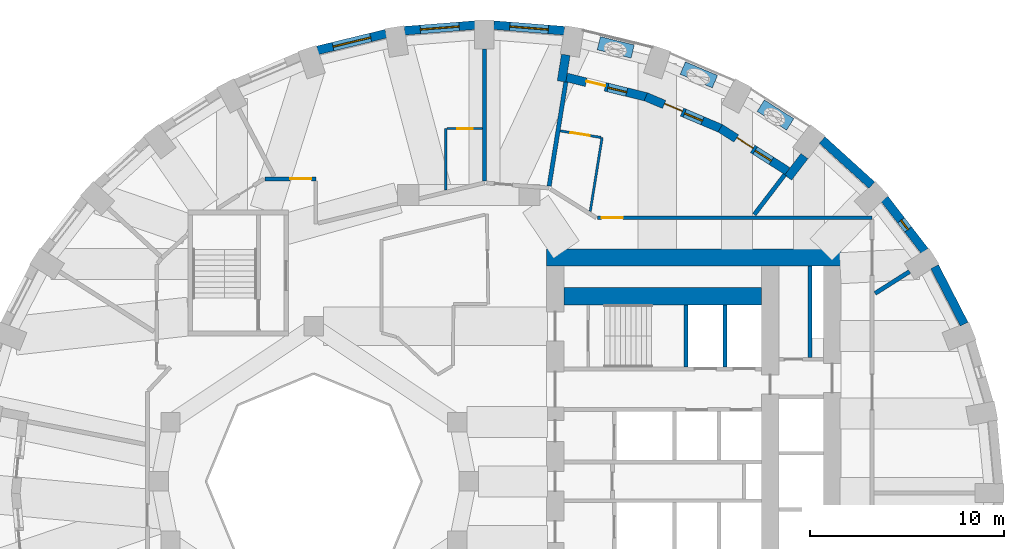
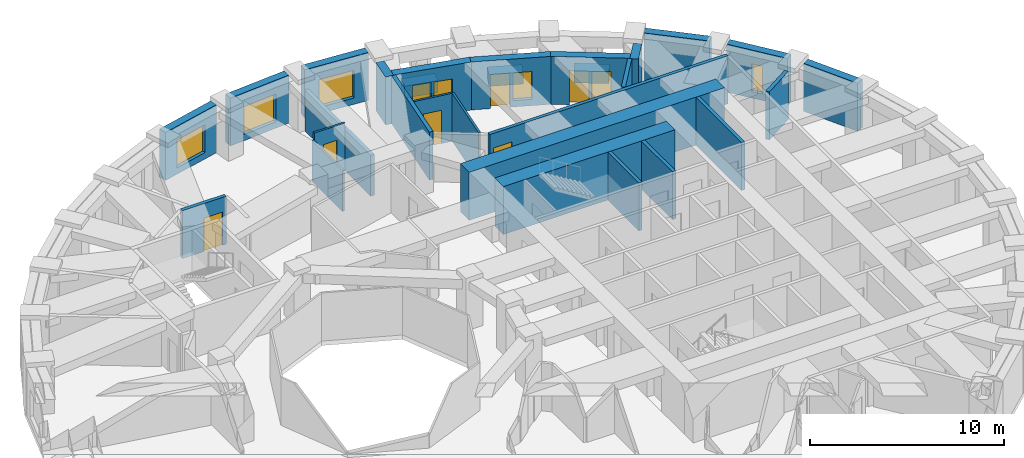
# One storey, part 8 of 12: 29 walls, 7 doors, 7 windows, 14 openings.
"""IFC4 building model written with IfcOpenShell, lengths in metres."""

from ifc_helpers import new_model, si_unit, direction, frame, frame_2d, origin, place, context, subcontext, project, spatial, rectangle, extrude, material, layer, layer_set, constituent, constituent_set, type_object, element, fill, save


model = new_model("IFC4")

# Units and contexts
model_context = context("Model", 3, precision=1e-05, world=origin(), true_north=direction((0.0, 1.0)))
body_context = subcontext(model_context, "Body", "Model", "MODEL_VIEW")
ifc_project = project(units=[si_unit("LENGTHUNIT", "METRE"), si_unit("AREAUNIT", "SQUARE_METRE"), si_unit("VOLUMEUNIT", "CUBIC_METRE"), si_unit("PLANEANGLEUNIT", "RADIAN"), si_unit("MASSUNIT", "GRAM", prefix="KILO")], contexts=[model_context])

# Site, building, storey
site_placement = place(None, origin())
site = spatial("IfcSite", under=ifc_project, at=site_placement, CompositionType="ELEMENT")
building_placement = place(site_placement, origin())
building = spatial("IfcBuilding", under=site, at=building_placement, Name="Taillehof Tower", CompositionType="ELEMENT")
storey_placement = place(building_placement, frame((0.0, 0.0, 98.800048828125)))
storey = spatial("IfcBuildingStorey", under=building, at=storey_placement, Name="L27", CompositionType="ELEMENT", Elevation=98.800048828125)

# Wall
ifc_material_1 = material(Name="Brick masonry", Category="masonry")
ifc_layer_1 = layer(ifc_material_1, 0.449951171875)
ifc_layer_set_1 = layer_set([ifc_layer_1], Name="Brick infill wall 450")
wall_type_1 = type_object("IfcWallType", Name="Brick infill wall 450", PredefinedType="SOLIDWALL", material=ifc_layer_set_1)
wall_1_placement = place(storey_placement, frame((25.545166015625, 8.1123046875, 0.0), z_axis=(0.0, 0.0, 1.0), x_axis=(-0.456828186229, 0.889554949549, 0.0)))
element("IfcWall", 1, at=wall_1_placement, inside=storey, type_object=wall_type_1, Name="Brick wall L27 bay 3", PredefinedType="SOLIDWALL", context=body_context, shape_type="SweptSolid", body=[
    extrude(rectangle(XDim=3.332763671875, YDim=0.449951171875, at=frame_2d((1.66650390625, 0.0))), origin(), (0.0, 0.0, 1.0), 3.02001953125),
])

# Wall, opening, window
wall_2_placement = place(storey_placement, frame((23.508056640625, 11.887451171875, 0.0), z_axis=(0.0, 0.0, 1.0), x_axis=(-0.610693945156, 0.791866721961, 0.0)))
wall_2 = element("IfcWall", 2, at=wall_2_placement, inside=storey, type_object=wall_type_1, Name="Brick wall L27 bay 4", PredefinedType="SOLIDWALL", context=body_context, shape_type="SweptSolid", body=[
    extrude(rectangle(XDim=3.39453125, YDim=0.449951171875, at=frame_2d((1.697265625, 0.0))), origin(), (0.0, 0.0, 1.0), 3.02001953125),
])
opening_1_placement = place(wall_2_placement, frame((1.397216796875, 0.0, 0.39990234375)))
opening_1 = element("IfcOpeningElement", 3, at=opening_1_placement, cuts=wall_2, Name="Opening W6", PredefinedType="OPENING", context=body_context, shape_type="SweptSolid", body=[
    extrude(rectangle(XDim=0.60009765625, YDim=1.75, at=frame_2d((0.300048828125, 0.875))), frame((0.0, 0.23486328125, 0.0), z_axis=(0.0, -1.0, 0.0), x_axis=(1.0, 0.0, 0.0)), (0.0, 0.0, 1.0), 0.469970703125),
])
ifc_material_2 = material(Name="Aluminium window frame with clear double glazing", Category="aluminium")
window_type_1 = type_object("IfcWindowType", Name="Slot window 600x1750", PartitioningType="SINGLE_PANEL", PredefinedType="WINDOW", material=ifc_material_2)
window_1_placement = place(opening_1_placement, origin())
window_1 = element("IfcWindow", 4, at=window_1_placement, inside=storey, type_object=window_type_1, Name="W6", OverallHeight=1.75, OverallWidth=0.60009765625, PartitioningType="SINGLE_PANEL", PredefinedType="WINDOW", context=body_context, shape_type="SweptSolid", body=[
    extrude(rectangle(XDim=0.60009765625, YDim=1.75, at=frame_2d((0.300048828125, 0.875))), frame((0.0, 0.034912109375, 0.0), z_axis=(0.0, -1.0, 0.0), x_axis=(1.0, 0.0, 0.0)), (0.0, 0.0, 1.0), 0.06005859375),
])
fill(opening_1, window_1)

# Wall
wall_3_placement = place(storey_placement, frame((20.783935546875, 15.281005859375, 0.0), z_axis=(0.0, 0.0, 1.0), x_axis=(-0.74032902847, 0.672244694739, 0.0)))
element("IfcWall", 5, at=wall_3_placement, inside=storey, type_object=wall_type_1, Name="Brick wall L27 bay 5", PredefinedType="SOLIDWALL", context=body_context, shape_type="SweptSolid", body=[
    extrude(rectangle(XDim=3.4638671875, YDim=0.449951171875, at=frame_2d((1.73193359375, 0.0))), origin(), (0.0, 0.0, 1.0), 3.02001953125),
])

# Wall, opening, window
wall_4_placement = place(storey_placement, frame((4.926513671875, 23.24658203125, 0.0), z_axis=(0.0, 0.0, 1.0), x_axis=(-0.996862216754, 0.079156306178, 0.0)))
wall_4 = element("IfcWall", 6, at=wall_4_placement, inside=storey, type_object=wall_type_1, Name="Brick wall L27 bay 9", PredefinedType="SOLIDWALL", context=body_context, shape_type="SweptSolid", body=[
    extrude(rectangle(XDim=3.657958984375, YDim=0.449951171875, at=frame_2d((1.8291015625, 0.0))), origin(), (0.0, 0.0, 1.0), 3.02001953125),
])
opening_2_placement = place(wall_4_placement, frame((0.8291015625, 0.0, 0.39990234375)))
opening_2 = element("IfcOpeningElement", 7, at=opening_2_placement, cuts=wall_4, Name="Opening W2", PredefinedType="OPENING", context=body_context, shape_type="SweptSolid", body=[
    extrude(rectangle(XDim=2.0, YDim=1.75, at=frame_2d((1.0, 0.875))), frame((0.0, 0.23486328125, 0.0), z_axis=(0.0, -1.0, 0.0), x_axis=(1.0, 0.0, 0.0)), (0.0, 0.0, 1.0), 0.469970703125),
])
ifc_material_3 = material(Name="Aluminium window frame with clear double glazing", Category="aluminium")
window_type_2 = type_object("IfcWindowType", Name="Deep-set window 2000x1750", PartitioningType="SINGLE_PANEL", PredefinedType="WINDOW", material=ifc_material_3)
window_2_placement = place(opening_2_placement, origin())
window_2 = element("IfcWindow", 8, at=window_2_placement, inside=storey, type_object=window_type_2, Name="W2", OverallHeight=1.75, OverallWidth=2.0, PartitioningType="SINGLE_PANEL", PredefinedType="WINDOW", context=body_context, shape_type="SweptSolid", body=[
    extrude(rectangle(XDim=2.0, YDim=1.75, at=frame_2d((1.0, 0.875))), frame((0.0, 0.034912109375, 0.0), z_axis=(0.0, -1.0, 0.0), x_axis=(1.0, 0.0, 0.0)), (0.0, 0.0, 1.0), 0.06005859375),
])
fill(opening_2, window_2)

wall_5_placement = place(storey_placement, frame((0.31982421875, 23.5361328125, 0.0), z_axis=(0.0, 0.0, 1.0), x_axis=(-0.996862216754, -0.079156306178, 0.0)))
wall_5 = element("IfcWall", 9, at=wall_5_placement, inside=storey, type_object=wall_type_1, Name="Brick wall L27 bay 10", PredefinedType="SOLIDWALL", context=body_context, shape_type="SweptSolid", body=[
    extrude(rectangle(XDim=3.657958984375, YDim=0.449951171875, at=frame_2d((1.8291015625, 0.0))), origin(), (0.0, 0.0, 1.0), 3.02001953125),
])
opening_3_placement = place(wall_5_placement, frame((0.8291015625, 0.0, 0.39990234375)))
opening_3 = element("IfcOpeningElement", 10, at=opening_3_placement, cuts=wall_5, Name="Opening W2", PredefinedType="OPENING", context=body_context, shape_type="SweptSolid", body=[
    extrude(rectangle(XDim=2.0, YDim=1.75, at=frame_2d((1.0, 0.875))), frame((0.0, 0.23486328125, 0.0), z_axis=(0.0, -1.0, 0.0), x_axis=(1.0, 0.0, 0.0)), (0.0, 0.0, 1.0), 0.469970703125),
])
window_3_placement = place(opening_3_placement, origin())
window_3 = element("IfcWindow", 11, at=window_3_placement, inside=storey, type_object=window_type_2, Name="W2", OverallHeight=1.75, OverallWidth=2.0, PartitioningType="SINGLE_PANEL", PredefinedType="WINDOW", context=body_context, shape_type="SweptSolid", body=[
    extrude(rectangle(XDim=2.0, YDim=1.75, at=frame_2d((1.0, 0.875))), frame((0.0, 0.034912109375, 0.0), z_axis=(0.0, -1.0, 0.0), x_axis=(1.0, 0.0, 0.0)), (0.0, 0.0, 1.0), 0.06005859375),
])
fill(opening_3, window_3)

wall_6_placement = place(storey_placement, frame((-4.274658203125, 23.094482421875, 0.0), z_axis=(0.0, 0.0, 1.0), x_axis=(-0.971667603162, -0.236351579148, 0.0)))
wall_6 = element("IfcWall", 12, at=wall_6_placement, inside=storey, type_object=wall_type_1, Name="Brick wall L27 bay 11", PredefinedType="SOLIDWALL", context=body_context, shape_type="SweptSolid", body=[
    extrude(rectangle(XDim=3.635009765625, YDim=0.449951171875, at=frame_2d((1.8173828125, 0.0))), origin(), (0.0, 0.0, 1.0), 3.02001953125),
])
opening_4_placement = place(wall_6_placement, frame((0.8173828125, 0.0, 0.39990234375)))
opening_4 = element("IfcOpeningElement", 13, at=opening_4_placement, cuts=wall_6, Name="Opening W2", PredefinedType="OPENING", context=body_context, shape_type="SweptSolid", body=[
    extrude(rectangle(XDim=2.0, YDim=1.75, at=frame_2d((1.0, 0.875))), frame((0.0, 0.23486328125, 0.0), z_axis=(0.0, -1.0, 0.0), x_axis=(1.0, 0.0, 0.0)), (0.0, 0.0, 1.0), 0.469970703125),
])
window_4_placement = place(opening_4_placement, origin())
window_4 = element("IfcWindow", 14, at=window_4_placement, inside=storey, type_object=window_type_2, Name="W2", OverallHeight=1.75, OverallWidth=2.0, PartitioningType="SINGLE_PANEL", PredefinedType="WINDOW", context=body_context, shape_type="SweptSolid", body=[
    extrude(rectangle(XDim=2.0, YDim=1.75, at=frame_2d((1.0, 0.875))), frame((0.0, 0.034912109375, 0.0), z_axis=(0.0, -1.0, 0.0), x_axis=(1.0, 0.0, 0.0)), (0.0, 0.0, 1.0), 0.06005859375),
])
fill(opening_4, window_4)

# Walls
wall_7_placement = place(storey_placement, frame((17.3076171875, 16.779541015625, 0.0), z_axis=(0.0, 0.0, 1.0), x_axis=(-0.607137336608, -0.794596913219, 0.0)))
element("IfcWall", 15, at=wall_7_placement, inside=storey, type_object=wall_type_1, Name="Brick reveal L27 pocket 1", PredefinedType="SOLIDWALL", context=body_context, shape_type="SweptSolid", body=[
    extrude(rectangle(XDim=1.390869140625, YDim=0.449951171875, at=frame_2d((0.6953125, 0.0))), origin(), (0.0, 0.0, 1.0), 3.02001953125),
])
wall_8_placement = place(storey_placement, frame((4.9970703125, 22.003662109375, 0.0), z_axis=(0.0, 0.0, 1.0), x_axis=(-0.158613884007, -0.98734068882, 0.0)))
element("IfcWall", 16, at=wall_8_placement, inside=storey, type_object=wall_type_1, Name="Brick reveal L27 pocket 1", PredefinedType="SOLIDWALL", context=body_context, shape_type="SweptSolid", body=[
    extrude(rectangle(XDim=1.389892578125, YDim=0.449951171875, at=frame_2d((0.69482421875, 0.0))), origin(), (0.0, 0.0, 1.0), 3.02001953125),
])

# Wall, openings, door, window
wall_9_placement = place(storey_placement, frame((16.4326171875, 16.0048828125, 0.0), z_axis=(0.0, 0.0, 1.0), x_axis=(-0.843265516514, 0.537497226651, 0.0)))
wall_9 = element("IfcWall", 17, at=wall_9_placement, inside=storey, type_object=wall_type_1, Name="Brick wall L27 pocket bay 6", PredefinedType="SOLIDWALL", context=body_context, shape_type="SweptSolid", body=[
    extrude(rectangle(XDim=4.115234375, YDim=0.449951171875, at=frame_2d((2.0576171875, 0.0))), origin(), (0.0, 0.0, 1.0), 3.02001953125),
])
opening_5_placement = place(wall_9_placement, frame((0.982666015625, 0.0, 0.39990234375)))
opening_5 = element("IfcOpeningElement", 18, at=opening_5_placement, cuts=wall_9, Name="Opening W5", PredefinedType="OPENING", context=body_context, shape_type="SweptSolid", body=[
    extrude(rectangle(XDim=1.0, YDim=1.75, at=frame_2d((0.5, 0.875))), frame((0.0, 0.23486328125, 0.0), z_axis=(0.0, -1.0, 0.0), x_axis=(1.0, 0.0, 0.0)), (0.0, 0.0, 1.0), 0.469970703125),
])
opening_6_placement = place(wall_9_placement, frame((2.132568359375, 0.0, 0.0)))
opening_6 = element("IfcOpeningElement", 19, at=opening_6_placement, cuts=wall_9, Name="Opening D2791", PredefinedType="OPENING", context=body_context, shape_type="SweptSolid", body=[
    extrude(rectangle(XDim=1.0, YDim=2.14990234375, at=frame_2d((0.5, 1.074951171875))), frame((0.0, 0.23486328125, 0.0), z_axis=(0.0, -1.0, 0.0), x_axis=(1.0, 0.0, 0.0)), (0.0, 0.0, 1.0), 0.469970703125),
])
ifc_material_4 = material(Name="Aluminium door frame with clear double glazing", Category="aluminium")
door_type_1 = type_object("IfcDoorType", Name="Balcony door 1000x2150", OperationType="SINGLE_SWING_RIGHT", PredefinedType="DOOR", material=ifc_material_4)
door_1_placement = place(opening_6_placement, frame((1.0, 0.0, 0.0), z_axis=(0.0, 0.0, 1.0), x_axis=(-1.0, 0.0, 0.0)))
door_1 = element("IfcDoor", 20, at=door_1_placement, inside=storey, type_object=door_type_1, Name="Balcony door L27 bay 6", OperationType="SINGLE_SWING_RIGHT", OverallHeight=2.14990234375, OverallWidth=1.0, PredefinedType="DOOR", context=body_context, shape_type="SweptSolid", body=[
    extrude(rectangle(XDim=1.0, YDim=2.14990234375, at=frame_2d((0.5, 1.074951171875))), frame((0.0, 0.0751953125, 0.0), z_axis=(0.0, -1.0, 0.0), x_axis=(1.0, 0.0, 0.0)), (0.0, 0.0, 1.0), 0.050048828125),
])
fill(opening_6, door_1)
ifc_material_5 = material(Name="Aluminium window frame with clear double glazing", Category="aluminium")
window_type_3 = type_object("IfcWindowType", Name="Fixed window 1000x1750", PartitioningType="SINGLE_PANEL", PredefinedType="WINDOW", material=ifc_material_5)
window_5_placement = place(opening_5_placement, origin())
window_5 = element("IfcWindow", 21, at=window_5_placement, inside=storey, type_object=window_type_3, Name="W5", OverallHeight=1.75, OverallWidth=1.0, PartitioningType="SINGLE_PANEL", PredefinedType="WINDOW", context=body_context, shape_type="SweptSolid", body=[
    extrude(rectangle(XDim=1.0, YDim=1.75, at=frame_2d((0.5, 0.875))), frame((0.0, 0.034912109375, 0.0), z_axis=(0.0, -1.0, 0.0), x_axis=(1.0, 0.0, 0.0)), (0.0, 0.0, 1.0), 0.06005859375),
])
fill(opening_5, window_5)

wall_10_placement = place(storey_placement, frame((12.995361328125, 18.199462890625, 0.0), z_axis=(0.0, 0.0, 1.0), x_axis=(-0.920487538818, 0.3907719167, 0.0)))
wall_10 = element("IfcWall", 22, at=wall_10_placement, inside=storey, type_object=wall_type_1, Name="Brick wall L27 pocket bay 7", PredefinedType="SOLIDWALL", context=body_context, shape_type="SweptSolid", body=[
    extrude(rectangle(XDim=4.20654296875, YDim=0.449951171875, at=frame_2d((2.103271484375, 0.0))), origin(), (0.0, 0.0, 1.0), 3.02001953125),
])
opening_7_placement = place(wall_10_placement, frame((1.0283203125, 0.0, 0.39990234375)))
opening_7 = element("IfcOpeningElement", 23, at=opening_7_placement, cuts=wall_10, Name="Opening W5", PredefinedType="OPENING", context=body_context, shape_type="SweptSolid", body=[
    extrude(rectangle(XDim=1.0, YDim=1.75, at=frame_2d((0.5, 0.875))), frame((0.0, 0.23486328125, 0.0), z_axis=(0.0, -1.0, 0.0), x_axis=(1.0, 0.0, 0.0)), (0.0, 0.0, 1.0), 0.469970703125),
])
opening_8_placement = place(wall_10_placement, frame((2.17822265625, 0.0, 0.0)))
opening_8 = element("IfcOpeningElement", 24, at=opening_8_placement, cuts=wall_10, Name="Opening D2792", PredefinedType="OPENING", context=body_context, shape_type="SweptSolid", body=[
    extrude(rectangle(XDim=1.0, YDim=2.14990234375, at=frame_2d((0.5, 1.074951171875))), frame((0.0, 0.23486328125, 0.0), z_axis=(0.0, -1.0, 0.0), x_axis=(1.0, 0.0, 0.0)), (0.0, 0.0, 1.0), 0.469970703125),
])
door_2_placement = place(opening_8_placement, frame((1.0, 0.0, 0.0), z_axis=(0.0, 0.0, 1.0), x_axis=(-1.0, 0.0, 0.0)))
door_2 = element("IfcDoor", 25, at=door_2_placement, inside=storey, type_object=door_type_1, Name="Balcony door L27 bay 7", OperationType="SINGLE_SWING_LEFT", OverallHeight=2.14990234375, OverallWidth=1.0, PredefinedType="DOOR", context=body_context, shape_type="SweptSolid", body=[
    extrude(rectangle(XDim=1.0, YDim=2.14990234375, at=frame_2d((0.5, 1.074951171875))), frame((0.0, 0.0751953125, 0.0), z_axis=(0.0, -1.0, 0.0), x_axis=(1.0, 0.0, 0.0)), (0.0, 0.0, 1.0), 0.050048828125),
])
fill(opening_8, door_2)
window_6_placement = place(opening_7_placement, origin())
window_6 = element("IfcWindow", 26, at=window_6_placement, inside=storey, type_object=window_type_3, Name="W5", OverallHeight=1.75, OverallWidth=1.0, PartitioningType="SINGLE_PANEL", PredefinedType="WINDOW", context=body_context, shape_type="SweptSolid", body=[
    extrude(rectangle(XDim=1.0, YDim=1.75, at=frame_2d((0.5, 0.875))), frame((0.0, 0.034912109375, 0.0), z_axis=(0.0, -1.0, 0.0), x_axis=(1.0, 0.0, 0.0)), (0.0, 0.0, 1.0), 0.06005859375),
])
fill(opening_7, window_6)

wall_11_placement = place(storey_placement, frame((9.157958984375, 19.831787109375, 0.0), z_axis=(0.0, 0.0, 1.0), x_axis=(-0.97152486365, 0.236937627468, 0.0)))
wall_11 = element("IfcWall", 27, at=wall_11_placement, inside=storey, type_object=wall_type_1, Name="Brick wall L27 pocket bay 8", PredefinedType="SOLIDWALL", context=body_context, shape_type="SweptSolid", body=[
    extrude(rectangle(XDim=4.2412109375, YDim=0.449951171875, at=frame_2d((2.12060546875, 0.0))), origin(), (0.0, 0.0, 1.0), 3.02001953125),
])
opening_9_placement = place(wall_11_placement, frame((1.045654296875, 0.0, 0.39990234375)))
opening_9 = element("IfcOpeningElement", 28, at=opening_9_placement, cuts=wall_11, Name="Opening W5", PredefinedType="OPENING", context=body_context, shape_type="SweptSolid", body=[
    extrude(rectangle(XDim=1.0, YDim=1.75, at=frame_2d((0.5, 0.875))), frame((0.0, 0.23486328125, 0.0), z_axis=(0.0, -1.0, 0.0), x_axis=(1.0, 0.0, 0.0)), (0.0, 0.0, 1.0), 0.469970703125),
])
opening_10_placement = place(wall_11_placement, frame((2.195556640625, 0.0, 0.0)))
opening_10 = element("IfcOpeningElement", 29, at=opening_10_placement, cuts=wall_11, Name="Opening D2793", PredefinedType="OPENING", context=body_context, shape_type="SweptSolid", body=[
    extrude(rectangle(XDim=1.0, YDim=2.14990234375, at=frame_2d((0.5, 1.074951171875))), frame((0.0, 0.23486328125, 0.0), z_axis=(0.0, -1.0, 0.0), x_axis=(1.0, 0.0, 0.0)), (0.0, 0.0, 1.0), 0.469970703125),
])
door_3_placement = place(opening_10_placement, frame((1.0, 0.0, 0.0), z_axis=(0.0, 0.0, 1.0), x_axis=(-1.0, 0.0, 0.0)))
door_3 = element("IfcDoor", 30, at=door_3_placement, inside=storey, type_object=door_type_1, Name="Balcony door L27 bay 8", OperationType="SINGLE_SWING_LEFT", OverallHeight=2.14990234375, OverallWidth=1.0, PredefinedType="DOOR", context=body_context, shape_type="SweptSolid", body=[
    extrude(rectangle(XDim=1.0, YDim=2.14990234375, at=frame_2d((0.5, 1.074951171875))), frame((0.0, 0.0751953125, 0.0), z_axis=(0.0, -1.0, 0.0), x_axis=(1.0, 0.0, 0.0)), (0.0, 0.0, 1.0), 0.050048828125),
])
fill(opening_10, door_3)
window_7_placement = place(opening_9_placement, origin())
window_7 = element("IfcWindow", 31, at=window_7_placement, inside=storey, type_object=window_type_3, Name="W5", OverallHeight=1.75, OverallWidth=1.0, PartitioningType="SINGLE_PANEL", PredefinedType="WINDOW", context=body_context, shape_type="SweptSolid", body=[
    extrude(rectangle(XDim=1.0, YDim=1.75, at=frame_2d((0.5, 0.875))), frame((0.0, 0.034912109375, 0.0), z_axis=(0.0, -1.0, 0.0), x_axis=(1.0, 0.0, 0.0)), (0.0, 0.0, 1.0), 0.06005859375),
])
fill(opening_9, window_7)

# Wall
ifc_material_6 = material(Name="Calcium silicate masonry", Category="masonry")
ifc_layer_2 = layer(ifc_material_6, 0.199951171875)
ifc_layer_set_2 = layer_set([ifc_layer_2], Name="Compartment wall calcium silicate 200")
wall_type_2 = type_object("IfcWallType", Name="Compartment wall calcium silicate 200", PredefinedType="PARTITIONING", material=ifc_layer_set_2)
wall_12_placement = place(storey_placement, frame((17.60009765625, 6.39990234375, 0.0), z_axis=(0.0, 0.0, 1.0), x_axis=(0.0, 1.0, 0.0)))
element("IfcWall", 32, at=wall_12_placement, inside=storey, type_object=wall_type_2, Name="Compartment wall FW", PredefinedType="PARTITIONING", context=body_context, shape_type="SweptSolid", body=[
    extrude(rectangle(XDim=4.7001953125, YDim=0.199951171875, at=frame_2d((2.35009765625, 0.0))), origin(), (0.0, 0.0, 1.0), 3.02001953125),
])

# Wall, opening, door
ifc_material_7 = material(Name="Gypsum board on steel studs, two layers each side", Category="steel")
ifc_layer_3 = layer(ifc_material_7, 0.199951171875)
ifc_layer_set_3 = layer_set([ifc_layer_3], Name="Compartment wall corridor 200")
wall_type_3 = type_object("IfcWallType", Name="Compartment wall corridor 200", PredefinedType="PARTITIONING", material=ifc_layer_set_3)
wall_13_placement = place(storey_placement, frame((-10.508544921875, 15.60009765625, 0.0), z_axis=(0.0, 0.0, 1.0), x_axis=(1.0, 0.0, 0.0)))
wall_13 = element("IfcWall", 33, at=wall_13_placement, inside=storey, type_object=wall_type_3, Name="Compartment wall", PredefinedType="PARTITIONING", context=body_context, shape_type="SweptSolid", body=[
    extrude(rectangle(XDim=2.608642578125, YDim=0.199951171875, at=frame_2d((1.30419921875, 0.0))), origin(), (0.0, 0.0, 1.0), 3.02001953125),
])
opening_11_placement = place(wall_13_placement, frame((1.28857421875, 0.0, 0.0)))
opening_11 = element("IfcOpeningElement", 34, at=opening_11_placement, cuts=wall_13, Name="Opening D2743", PredefinedType="OPENING", context=body_context, shape_type="SweptSolid", body=[
    extrude(rectangle(XDim=1.10009765625, YDim=2.10009765625, at=frame_2d((0.550048828125, 1.050048828125))), frame((0.0, 0.10986328125, 0.0), z_axis=(0.0, -1.0, 0.0), x_axis=(1.0, 0.0, 0.0)), (0.0, 0.0, 1.0), 0.219970703125),
])
ifc_material_8 = material(Name="Timber door leaf in steel frame", Category="steel")
door_type_2 = type_object("IfcDoorType", Name="Suite entrance door EI 30 1100 x 2100", OperationType="SINGLE_SWING_LEFT", PredefinedType="DOOR", material=ifc_material_8)
door_4_placement = place(opening_11_placement, origin())
door_4 = element("IfcDoor", 35, at=door_4_placement, inside=storey, type_object=door_type_2, Name="D2743", OperationType="SINGLE_SWING_LEFT", OverallHeight=2.10009765625, OverallWidth=1.10009765625, PredefinedType="DOOR", context=body_context, shape_type="SweptSolid", body=[
    extrude(rectangle(XDim=1.10009765625, YDim=2.10009765625, at=frame_2d((0.550048828125, 1.050048828125))), frame((0.0, 0.02490234375, 0.0), z_axis=(0.0, -1.0, 0.0), x_axis=(1.0, 0.0, 0.0)), (0.0, 0.0, 1.0), 0.050048828125),
])
fill(opening_11, door_4)

wall_14_placement = place(storey_placement, frame((6.62744140625, 13.60009765625, 0.0), z_axis=(0.0, 0.0, 1.0), x_axis=(1.0, 0.0, 0.0)))
wall_14 = element("IfcWall", 36, at=wall_14_placement, inside=storey, type_object=wall_type_3, Name="Compartment wall", PredefinedType="PARTITIONING", context=body_context, shape_type="SweptSolid", body=[
    extrude(rectangle(XDim=14.172607421875, YDim=0.199951171875, at=frame_2d((7.08642578125, 0.0))), origin(), (0.0, 0.0, 1.0), 3.02001953125),
])
opening_12_placement = place(wall_14_placement, frame((0.219970703125, 0.0, 0.0)))
opening_12 = element("IfcOpeningElement", 37, at=opening_12_placement, cuts=wall_14, Name="Opening D2740", PredefinedType="OPENING", context=body_context, shape_type="SweptSolid", body=[
    extrude(rectangle(XDim=1.10009765625, YDim=2.10009765625, at=frame_2d((0.550048828125, 1.050048828125))), frame((0.0, 0.10986328125, 0.0), z_axis=(0.0, -1.0, 0.0), x_axis=(1.0, 0.0, 0.0)), (0.0, 0.0, 1.0), 0.219970703125),
])
ifc_material_9 = material(Name="Timber door leaf in steel frame", Category="steel")
door_type_3 = type_object("IfcDoorType", Name="Accessible guest room door EI 30 1100 x 2100", OperationType="SINGLE_SWING_LEFT", PredefinedType="DOOR", material=ifc_material_9)
door_5_placement = place(opening_12_placement, origin())
door_5 = element("IfcDoor", 38, at=door_5_placement, inside=storey, type_object=door_type_3, Name="D2740", OperationType="SINGLE_SWING_LEFT", OverallHeight=2.10009765625, OverallWidth=1.10009765625, PredefinedType="DOOR", context=body_context, shape_type="SweptSolid", body=[
    extrude(rectangle(XDim=1.10009765625, YDim=2.10009765625, at=frame_2d((0.550048828125, 1.050048828125))), frame((0.0, 0.02490234375, 0.0), z_axis=(0.0, -1.0, 0.0), x_axis=(1.0, 0.0, 0.0)), (0.0, 0.0, 1.0), 0.050048828125),
])
fill(opening_12, door_5)

# Walls
ifc_material_10 = material(Name="Gypsum board on double steel studs with mineral wool", Category="steel")
ifc_layer_4 = layer(ifc_material_10, 0.219970703125)
ifc_layer_set_4 = layer_set([ifc_layer_4], Name="Compartment wall guest room 220")
wall_type_4 = type_object("IfcWallType", Name="Compartment wall guest room 220", PredefinedType="PARTITIONING", material=ifc_layer_set_4)
wall_15_placement = place(storey_placement, frame((22.7265625, 10.8232421875, 0.0), z_axis=(0.0, 0.0, 1.0), x_axis=(-0.844549560094, -0.53547739499, 0.0)))
element("IfcWall", 39, at=wall_15_placement, inside=storey, type_object=wall_type_4, Name="Compartment wall", PredefinedType="PARTITIONING", context=body_context, shape_type="SweptSolid", body=[
    extrude(rectangle(XDim=2.102783203125, YDim=0.219970703125, at=frame_2d((1.05126953125, 0.0))), origin(), (0.0, 0.0, 1.0), 3.02001953125),
])
wall_16_placement = place(storey_placement, frame((16.295654296875, 15.825439453125, 0.0), z_axis=(0.0, 0.0, 1.0), x_axis=(-0.607037876857, -0.794672898784, 0.0)))
element("IfcWall", 40, at=wall_16_placement, inside=storey, type_object=wall_type_4, Name="Compartment wall", PredefinedType="PARTITIONING", context=body_context, shape_type="SweptSolid", body=[
    extrude(rectangle(XDim=2.594482421875, YDim=0.219970703125, at=frame_2d((1.29736328125, 0.0))), origin(), (0.0, 0.0, 1.0), 3.02001953125),
])
wall_17_placement = place(storey_placement, frame((5.001708984375, 20.614013671875, 0.0), z_axis=(0.0, 0.0, 1.0), x_axis=(-0.158488550192, -0.987360815233, 0.0)))
element("IfcWall", 41, at=wall_17_placement, inside=storey, type_object=wall_type_4, Name="Compartment wall", PredefinedType="PARTITIONING", context=body_context, shape_type="SweptSolid", body=[
    extrude(rectangle(XDim=5.448486328125, YDim=0.219970703125, at=frame_2d((2.72412109375, 0.0))), origin(), (0.0, 0.0, 1.0), 3.02001953125),
])
wall_18_placement = place(storey_placement, frame((0.800048828125, 22.300048828125, 0.0), z_axis=(0.0, 0.0, 1.0), x_axis=(0.0, -1.0, 0.0)))
element("IfcWall", 42, at=wall_18_placement, inside=storey, type_object=wall_type_4, Name="Compartment wall", PredefinedType="PARTITIONING", context=body_context, shape_type="SweptSolid", body=[
    extrude(rectangle(XDim=6.800048828125, YDim=0.219970703125, at=frame_2d((3.39990234375, 0.0))), origin(), (0.0, 0.0, 1.0), 2.570068359375),
])
ifc_material_11 = material(Name="Concrete C80/95", Category="concrete")
ifc_layer_5 = layer(ifc_material_11, 0.89990234375)
ifc_layer_set_5 = layer_set([ifc_layer_5], Name="Core wall C80/95 900")
wall_type_5 = type_object("IfcWallType", Name="Core wall C80/95 900", PredefinedType="SHEAR", material=ifc_layer_set_5)
wall_19_placement = place(storey_placement, frame((4.0, 11.550048828125, 0.0), z_axis=(0.0, 0.0, 1.0), x_axis=(1.0, 0.0, 0.0)))
element("IfcWall", 43, at=wall_19_placement, inside=storey, type_object=wall_type_5, Name="Core wall CW03", PredefinedType="SHEAR", context=body_context, shape_type="SweptSolid", body=[
    extrude(rectangle(XDim=15.199951171875, YDim=0.89990234375, at=frame_2d((7.60009765625, 0.0))), origin(), (0.0, 0.0, 1.0), 3.02001953125),
])
wall_20_placement = place(storey_placement, frame((4.89990234375, 9.550048828125, 0.0), z_axis=(0.0, 0.0, 1.0), x_axis=(1.0, 0.0, 0.0)))
element("IfcWall", 44, at=wall_20_placement, inside=storey, type_object=wall_type_5, Name="Core wall CW06", PredefinedType="SHEAR", context=body_context, shape_type="SweptSolid", body=[
    extrude(rectangle(XDim=10.2001953125, YDim=0.89990234375, at=frame_2d((5.10009765625, 0.0))), origin(), (0.0, 0.0, 1.0), 3.02001953125),
])
ifc_material_12 = material(Name="Gypsum board on steel studs, moisture resistant", Category="steel")
ifc_layer_6 = layer(ifc_material_12, 0.1201171875)
ifc_layer_set_6 = layer_set([ifc_layer_6], Name="En-suite wall 120")
wall_type_6 = type_object("IfcWallType", Name="En-suite wall 120", PredefinedType="PARTITIONING", material=ifc_layer_set_6)
wall_21_placement = place(storey_placement, frame((6.2587890625, 13.93359375, 0.0), z_axis=(0.0, 0.0, 1.0), x_axis=(0.158490335471, 0.987360528663, 0.0)))
element("IfcWall", 45, at=wall_21_placement, inside=storey, type_object=wall_type_6, Name="En-suite wall", PredefinedType="PARTITIONING", context=body_context, shape_type="SweptSolid", body=[
    extrude(rectangle(XDim=3.847900390625, YDim=0.1201171875, at=frame_2d((1.923828125, 0.0))), origin(), (0.0, 0.0, 1.0), 3.02001953125),
])
wall_22_placement = place(storey_placement, frame((-1.199951171875, 15.037353515625, 0.0), z_axis=(0.0, 0.0, 1.0), x_axis=(0.0, 1.0, 0.0)))
element("IfcWall", 46, at=wall_22_placement, inside=storey, type_object=wall_type_6, Name="En-suite wall", PredefinedType="PARTITIONING", context=body_context, shape_type="SweptSolid", body=[
    extrude(rectangle(XDim=3.16259765625, YDim=0.1201171875, at=frame_2d((1.581298828125, 0.0))), origin(), (0.0, 0.0, 1.0), 2.570068359375),
])

# Wall, opening, door
wall_23_placement = place(storey_placement, frame((6.809326171875, 17.742431640625, 0.0), z_axis=(0.0, 0.0, 1.0), x_axis=(-0.987337424941, 0.158634199689, 0.0)))
wall_23 = element("IfcWall", 47, at=wall_23_placement, inside=storey, type_object=wall_type_6, Name="En-suite wall", PredefinedType="PARTITIONING", context=body_context, shape_type="SweptSolid", body=[
    extrude(rectangle(XDim=2.1298828125, YDim=0.1201171875, at=frame_2d((1.06494140625, 0.0))), origin(), (0.0, 0.0, 1.0), 3.02001953125),
])
opening_13_placement = place(wall_23_placement, frame((0.58984375, 0.0, 0.0)))
opening_13 = element("IfcOpeningElement", 48, at=opening_13_placement, cuts=wall_23, Name="Opening D2741", PredefinedType="OPENING", context=body_context, shape_type="SweptSolid", body=[
    extrude(rectangle(XDim=1.0, YDim=2.10009765625, at=frame_2d((0.5, 1.050048828125))), frame((0.0, 0.070068359375, 0.0), z_axis=(0.0, -1.0, 0.0), x_axis=(1.0, 0.0, 0.0)), (0.0, 0.0, 1.0), 0.14013671875),
])
ifc_material_13 = material(Name="Timber door leaf in steel frame", Category="steel")
door_type_4 = type_object("IfcDoorType", Name="Accessible en-suite door 1000 x 2100", OperationType="SINGLE_SWING_LEFT", PredefinedType="DOOR", material=ifc_material_13)
door_6_placement = place(opening_13_placement, origin())
door_6 = element("IfcDoor", 49, at=door_6_placement, inside=storey, type_object=door_type_4, Name="D2741", OperationType="SINGLE_SWING_LEFT", OverallHeight=2.10009765625, OverallWidth=1.0, PredefinedType="DOOR", context=body_context, shape_type="SweptSolid", body=[
    extrude(rectangle(XDim=1.0, YDim=2.10009765625, at=frame_2d((0.5, 1.050048828125))), frame((0.0, 0.02490234375, 0.0), z_axis=(0.0, -1.0, 0.0), x_axis=(1.0, 0.0, 0.0)), (0.0, 0.0, 1.0), 0.050048828125),
])
fill(opening_13, door_6)

wall_24_placement = place(storey_placement, frame((-1.139892578125, 18.199951171875, 0.0), z_axis=(0.0, 0.0, 1.0), x_axis=(1.0, 0.0, 0.0)))
wall_24 = element("IfcWall", 50, at=wall_24_placement, inside=storey, type_object=wall_type_6, Name="En-suite wall", PredefinedType="PARTITIONING", context=body_context, shape_type="SweptSolid", body=[
    extrude(rectangle(XDim=1.829833984375, YDim=0.1201171875, at=frame_2d((0.9150390625, 0.0))), origin(), (0.0, 0.0, 1.0), 3.02001953125),
])
opening_14_placement = place(wall_24_placement, frame((0.539794921875, 0.0, 0.0)))
opening_14 = element("IfcOpeningElement", 51, at=opening_14_placement, cuts=wall_24, Name="Opening D2744", PredefinedType="OPENING", context=body_context, shape_type="SweptSolid", body=[
    extrude(rectangle(XDim=0.800048828125, YDim=2.10009765625, at=frame_2d((0.39990234375, 1.050048828125))), frame((0.0, 0.070068359375, 0.0), z_axis=(0.0, -1.0, 0.0), x_axis=(1.0, 0.0, 0.0)), (0.0, 0.0, 1.0), 0.14013671875),
])
ifc_material_14 = material(Name="Timber door leaf in steel frame", Category="steel")
door_type_5 = type_object("IfcDoorType", Name="En-suite door 800 x 2100", OperationType="SINGLE_SWING_LEFT", PredefinedType="DOOR", material=ifc_material_14)
door_7_placement = place(opening_14_placement, origin())
door_7 = element("IfcDoor", 52, at=door_7_placement, inside=storey, type_object=door_type_5, Name="D2744", OperationType="SINGLE_SWING_LEFT", OverallHeight=2.10009765625, OverallWidth=0.800048828125, PredefinedType="DOOR", context=body_context, shape_type="SweptSolid", body=[
    extrude(rectangle(XDim=0.800048828125, YDim=2.10009765625, at=frame_2d((0.39990234375, 1.050048828125))), frame((0.0, 0.02490234375, 0.0), z_axis=(0.0, -1.0, 0.0), x_axis=(1.0, 0.0, 0.0)), (0.0, 0.0, 1.0), 0.050048828125),
])
fill(opening_14, door_7)

# Walls
ifc_material_15 = material(Name="Concrete C30/37 precast", Category="concrete")
ifc_constituent_1 = constituent(ifc_material_15, Name="Structure", Category="concrete")
ifc_material_16 = material(Name="Insulated lining")
ifc_constituent_2 = constituent(ifc_material_16, Name="Lining")
ifc_constituent_set = constituent_set(constituents=[ifc_constituent_1, ifc_constituent_2], Name="Planter trough 700x750")
wall_type_7 = type_object("IfcWallType", Name="Planter trough 700x750", PredefinedType="USERDEFINED", material=ifc_constituent_set)
wall_25_placement = place(storey_placement, frame((16.57275390625, 18.416015625, 0.0), z_axis=(0.0, 0.0, 1.0), x_axis=(-0.843873638802, 0.536541966425, 0.0)))
element("IfcWall", 53, at=wall_25_placement, inside=storey, type_object=wall_type_7, Name="Planter L27 bay 6", ObjectType="PLANTER", PredefinedType="USERDEFINED", context=body_context, shape_type="SweptSolid", body=[
    extrude(rectangle(XDim=1.800048828125, YDim=0.699951171875, at=frame_2d((0.89990234375, 0.0))), origin(), (0.0, 0.0, 1.0), 0.75),
])
wall_26_placement = place(storey_placement, frame((12.689453125, 20.6201171875, 0.0), z_axis=(0.0, 0.0, 1.0), x_axis=(-0.920882984274, 0.389839106909, 0.0)))
element("IfcWall", 54, at=wall_26_placement, inside=storey, type_object=wall_type_7, Name="Planter L27 bay 7", ObjectType="PLANTER", PredefinedType="USERDEFINED", context=body_context, shape_type="SweptSolid", body=[
    extrude(rectangle(XDim=1.7998046875, YDim=0.699951171875, at=frame_2d((0.89990234375, 0.0))), origin(), (0.0, 0.0, 1.0), 0.75),
])
wall_27_placement = place(storey_placement, frame((8.44775390625, 22.175048828125, 0.0), z_axis=(0.0, 0.0, 1.0), x_axis=(-0.971654974133, 0.23640349245, 0.0)))
element("IfcWall", 55, at=wall_27_placement, inside=storey, type_object=wall_type_7, Name="Planter L27 bay 8", ObjectType="PLANTER", PredefinedType="USERDEFINED", context=body_context, shape_type="SweptSolid", body=[
    extrude(rectangle(XDim=1.800048828125, YDim=0.699951171875, at=frame_2d((0.89990234375, 0.0))), origin(), (0.0, 0.0, 1.0), 0.75),
])
ifc_material_17 = material(Name="Concrete C50/60", Category="concrete")
ifc_layer_7 = layer(ifc_material_17, 0.199951171875)
ifc_layer_set_7 = layer_set([ifc_layer_7], Name="Shaft wall C50/60 200")
wall_type_8 = type_object("IfcWallType", Name="Shaft wall C50/60 200", PredefinedType="SHEAR", material=ifc_layer_set_7)
for number, where, z_axis, x_axis, name in (
    (56, (11.199951171875, 5.89990234375, 0.0), (0.0, 0.0, 1.0), (0.0, 1.0, 0.0), "Shaft wall SW"),
    (57, (13.199951171875, 5.89990234375, 0.0), (0.0, 0.0, 1.0), (0.0, 1.0, 0.0), "Shaft wall SW"),
):
    element("IfcWall", number, at=place(storey_placement, frame(where, z_axis=z_axis, x_axis=x_axis)), inside=storey, type_object=wall_type_8, Name=name, PredefinedType="SHEAR", context=body_context, shape_type="SweptSolid", body=[
        extrude(rectangle(XDim=3.2001953125, YDim=0.199951171875, at=frame_2d((1.60009765625, 0.0))), origin(), (0.0, 0.0, 1.0), 3.02001953125),
    ])

save(model, "model.ifc")
